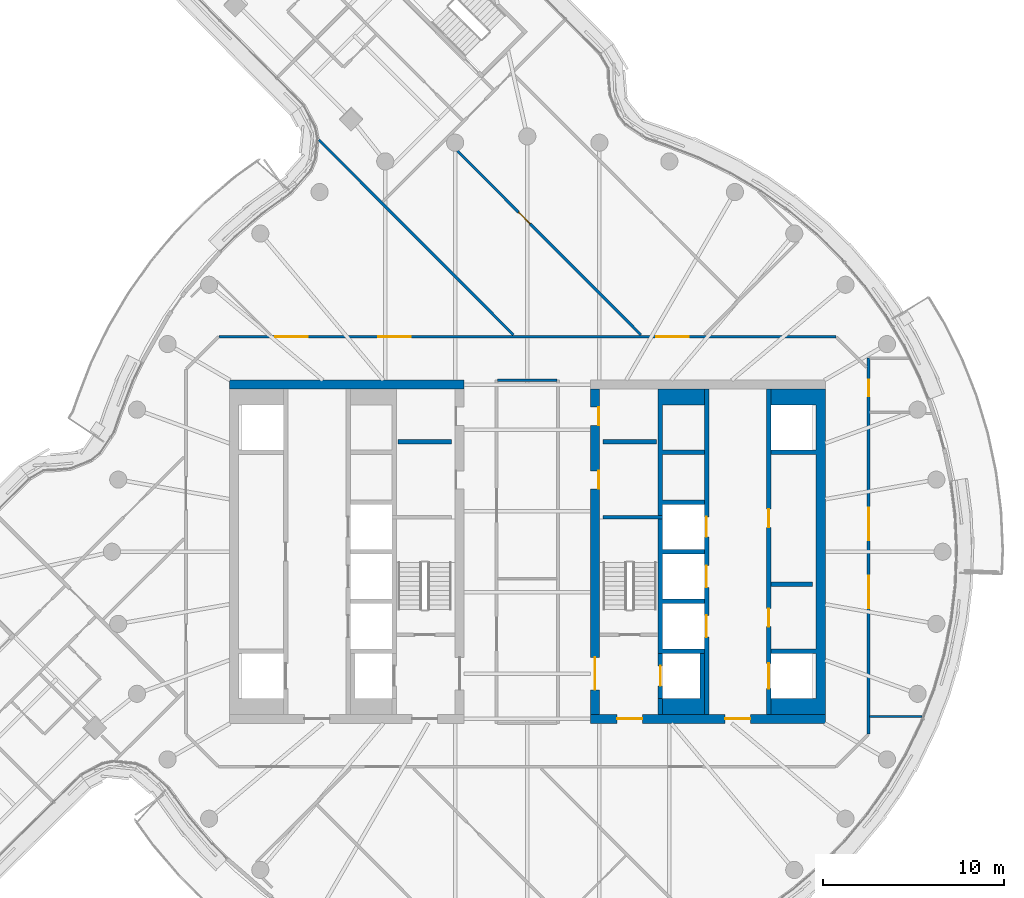
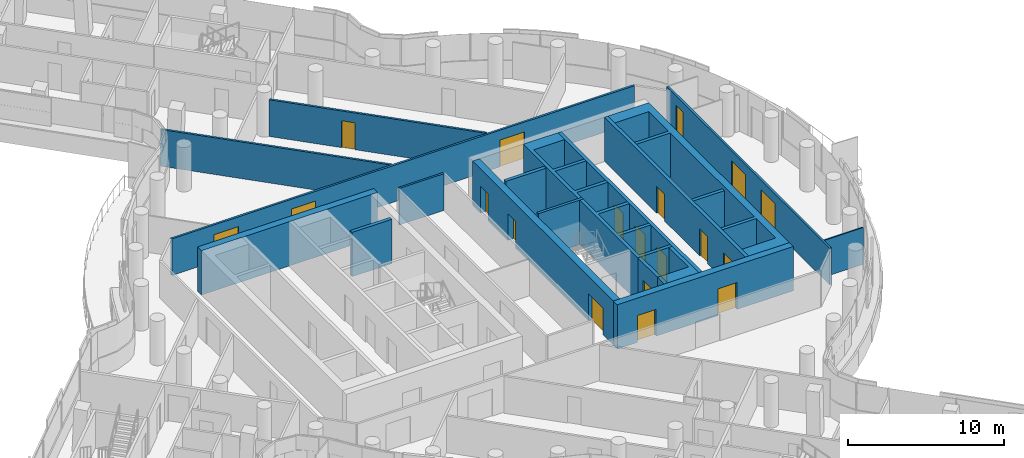
# One storey, part 21 of 31: 20 walls, 19 doors, 19 openings.
"""IFC4 building model written with IfcOpenShell, lengths in metres."""

from ifc_helpers import new_model, si_unit, direction, frame, frame_2d, origin, place, context, subcontext, project, spatial, polyline, rectangle, outline, extrude, material, layer, layer_set, type_object, element, fill, save


model = new_model("IFC4")

# Units and contexts
model_context = context("Model", 3, precision=1e-05, world=origin(), true_north=direction((0.0, 1.0)))
body_context = subcontext(model_context, "Body", "Model", "MODEL_VIEW")
ifc_project = project(units=[si_unit("LENGTHUNIT", "METRE"), si_unit("AREAUNIT", "SQUARE_METRE"), si_unit("VOLUMEUNIT", "CUBIC_METRE"), si_unit("PLANEANGLEUNIT", "RADIAN"), si_unit("MASSUNIT", "GRAM", prefix="KILO")], contexts=[model_context])

# Site, building, storey
site_placement = place(None, origin())
site = spatial("IfcSite", under=ifc_project, at=site_placement, CompositionType="ELEMENT")
building_placement = place(site_placement, origin())
building = spatial("IfcBuilding", under=site, at=building_placement, Name="Tamarind Cross Interchange Tower", CompositionType="ELEMENT")
storey_placement = place(building_placement, frame((0.0, 0.0, 196.89990234375)))
storey = spatial("IfcBuildingStorey", under=building, at=storey_placement, Name="L49", CompositionType="ELEMENT", Elevation=196.89990234375)

# Wall
ifc_material_1 = material(Name="Concrete C55", Category="concrete")
ifc_layer_1 = layer(ifc_material_1, 0.5)
ifc_layer_set_1 = layer_set([ifc_layer_1], Name="Concrete C55")
wall_type_1 = type_object("IfcWallType", Name="Core wall 500 mm Concrete C55", PredefinedType="SHEAR", material=ifc_layer_set_1)
wall_1_placement = place(storey_placement, frame((-16.5, 9.25, 0.0), z_axis=(0.0, 0.0, 1.0), x_axis=(1.0, 0.0, 0.0)))
element("IfcWall", 1, at=wall_1_placement, inside=storey, type_object=wall_type_1, Name="Core wall CWL-L49-W-NE", PredefinedType="SHEAR", context=body_context, shape_type="SweptSolid", body=[
    extrude(rectangle(XDim=13.0, YDim=0.5, at=frame_2d((6.5, 0.0))), origin(), (0.0, 0.0, 1.0), 3.460205078125),
])

# Wall, openings, doors
wall_2_placement = place(storey_placement, frame((16.5, -9.25, 0.0), z_axis=(0.0, 0.0, 1.0), x_axis=(-1.0, 0.0, 0.0)))
wall_2 = element("IfcWall", 2, at=wall_2_placement, inside=storey, type_object=wall_type_1, Name="Core wall CWL-L49-E-S", PredefinedType="SHEAR", context=body_context, shape_type="SweptSolid", body=[
    extrude(rectangle(XDim=13.0, YDim=0.5, at=frame_2d((6.5, 0.0))), origin(), (0.0, 0.0, 1.0), 3.460205078125),
])
opening_1_placement = place(wall_2_placement, frame((4.14990234375, 0.0, 0.0)))
opening_1 = element("IfcOpeningElement", 3, at=opening_1_placement, cuts=wall_2, Name="Opening DCE1", PredefinedType="OPENING", context=body_context, shape_type="SweptSolid", body=[
    extrude(rectangle(XDim=1.39990234375, YDim=2.10009765625, at=frame_2d((0.699951171875, 1.050048828125))), frame((0.0, 0.260009765625, 0.0), z_axis=(0.0, -1.0, 0.0), x_axis=(1.0, 0.0, 0.0)), (0.0, 0.0, 1.0), 0.52001953125),
])
opening_2_placement = place(wall_2_placement, frame((10.125, 0.0, 0.0)))
opening_2 = element("IfcOpeningElement", 4, at=opening_2_placement, cuts=wall_2, Name="Opening DCEF", PredefinedType="OPENING", context=body_context, shape_type="SweptSolid", body=[
    extrude(rectangle(XDim=1.39990234375, YDim=2.10009765625, at=frame_2d((0.699951171875, 1.050048828125))), frame((0.0, 0.260009765625, 0.0), z_axis=(0.0, -1.0, 0.0), x_axis=(1.0, 0.0, 0.0)), (0.0, 0.0, 1.0), 0.52001953125),
])
ifc_material_2 = material(Name="Steel, fire-resisting", Category="steel")
door_type_1 = type_object("IfcDoorType", Name="Core fire door 1400 x 2100 FD90", OperationType="SINGLE_SWING_LEFT", PredefinedType="DOOR", material=ifc_material_2)
door_1_placement = place(opening_1_placement, origin())
door_1 = element("IfcDoor", 5, at=door_1_placement, inside=storey, type_object=door_type_1, Name="L49 lift lobby door", OperationType="SINGLE_SWING_LEFT", OverallHeight=2.10009765625, OverallWidth=1.39990234375, PredefinedType="DOOR", context=body_context, shape_type="SweptSolid", body=[
    extrude(rectangle(XDim=1.39990234375, YDim=2.10009765625, at=frame_2d((0.699951171875, 1.050048828125))), frame((0.0, 0.02490234375, 0.0), z_axis=(0.0, -1.0, 0.0), x_axis=(1.0, 0.0, 0.0)), (0.0, 0.0, 1.0), 0.050048828125),
])
fill(opening_1, door_1)
door_2_placement = place(opening_2_placement, origin())
door_2 = element("IfcDoor", 6, at=door_2_placement, inside=storey, type_object=door_type_1, Name="L49 firefighting lobby end door", OperationType="SINGLE_SWING_LEFT", OverallHeight=2.10009765625, OverallWidth=1.39990234375, PredefinedType="DOOR", context=body_context, shape_type="SweptSolid", body=[
    extrude(rectangle(XDim=1.39990234375, YDim=2.10009765625, at=frame_2d((0.699951171875, 1.050048828125))), frame((0.0, 0.02490234375, 0.0), z_axis=(0.0, -1.0, 0.0), x_axis=(1.0, 0.0, 0.0)), (0.0, 0.0, 1.0), 0.050048828125),
])
fill(opening_2, door_2)

# Wall
wall_3_placement = place(storey_placement, origin())
element("IfcWall", 7, at=wall_3_placement, inside=storey, type_object=wall_type_1, Name="Core wall CWL-L49-E-A", PredefinedType="SHEAR", context=body_context, shape_type="SweptSolid", body=[
    extrude(outline(polyline([(13.5, -8.125), (13.5, -9.0), (16.0, -9.0), (16.5, -9.0), (16.5, 9.0), (16.0, 9.0), (13.5, 9.0), (13.5, 8.125), (16.0, 8.125), (16.0, 5.625), (13.5, 5.625), (13.5, 5.375), (16.0, 5.375), (16.0, -5.375), (13.5, -5.375), (13.5, -5.625), (16.0, -5.625), (16.0, -8.125), (13.5, -8.125)])), origin(), (0.0, 0.0, 1.0), 3.460205078125),
])

# Wall, openings, doors
wall_4_placement = place(storey_placement, frame((3.75, -9.0, 0.0), z_axis=(0.0, 0.0, 1.0), x_axis=(0.0, 1.0, 0.0)))
wall_4 = element("IfcWall", 8, at=wall_4_placement, inside=storey, type_object=wall_type_1, Name="Core wall CWL-L49-E-IN", PredefinedType="SHEAR", context=body_context, shape_type="SweptSolid", body=[
    extrude(rectangle(XDim=18.0, YDim=0.5, at=frame_2d((9.0, 0.0))), origin(), (0.0, 0.0, 1.0), 3.460205078125),
])
opening_3_placement = place(wall_4_placement, frame((1.35009765625, 0.0, 0.0)))
opening_3 = element("IfcOpeningElement", 9, at=opening_3_placement, cuts=wall_4, Name="Opening DCE4", PredefinedType="OPENING", context=body_context, shape_type="SweptSolid", body=[
    extrude(rectangle(XDim=1.800048828125, YDim=2.10009765625, at=frame_2d((0.89990234375, 1.050048828125))), frame((0.0, 0.260009765625, 0.0), z_axis=(0.0, -1.0, 0.0), x_axis=(1.0, 0.0, 0.0)), (0.0, 0.0, 1.0), 0.52001953125),
])
opening_4_placement = place(wall_4_placement, frame((12.4775390625, 0.0, 0.0)))
opening_4 = element("IfcOpeningElement", 10, at=opening_4_placement, cuts=wall_4, Name="Opening DCE5", PredefinedType="OPENING", context=body_context, shape_type="SweptSolid", body=[
    extrude(rectangle(XDim=1.0, YDim=2.10009765625, at=frame_2d((0.5, 1.050048828125))), frame((0.0, 0.260009765625, 0.0), z_axis=(0.0, -1.0, 0.0), x_axis=(1.0, 0.0, 0.0)), (0.0, 0.0, 1.0), 0.52001953125),
])
opening_5_placement = place(wall_4_placement, frame((16.00244140625, 0.0, 0.0)))
opening_5 = element("IfcOpeningElement", 11, at=opening_5_placement, cuts=wall_4, Name="Opening DCE5", PredefinedType="OPENING", context=body_context, shape_type="SweptSolid", body=[
    extrude(rectangle(XDim=1.0, YDim=2.10009765625, at=frame_2d((0.5, 1.050048828125))), frame((0.0, 0.260009765625, 0.0), z_axis=(0.0, -1.0, 0.0), x_axis=(1.0, 0.0, 0.0)), (0.0, 0.0, 1.0), 0.52001953125),
])
door_type_2 = type_object("IfcDoorType", Name="Core fire door 1000 x 2100 FD90", OperationType="SINGLE_SWING_LEFT", PredefinedType="DOOR", material=ifc_material_2)
door_3_placement = place(opening_4_placement, origin())
door_3 = element("IfcDoor", 12, at=door_3_placement, inside=storey, type_object=door_type_2, Name="L49 housekeeping pantry door", OperationType="SINGLE_SWING_LEFT", OverallHeight=2.10009765625, OverallWidth=1.0, PredefinedType="DOOR", context=body_context, shape_type="SweptSolid", body=[
    extrude(rectangle(XDim=1.0, YDim=2.10009765625, at=frame_2d((0.5, 1.050048828125))), frame((0.0, -0.1748046875, 0.0), z_axis=(0.0, -1.0, 0.0), x_axis=(1.0, 0.0, 0.0)), (0.0, 0.0, 1.0), 0.050048828125),
])
fill(opening_4, door_3)
door_4_placement = place(opening_5_placement, origin())
door_4 = element("IfcDoor", 13, at=door_4_placement, inside=storey, type_object=door_type_2, Name="L49 linen press door", OperationType="SINGLE_SWING_LEFT", OverallHeight=2.10009765625, OverallWidth=1.0, PredefinedType="DOOR", context=body_context, shape_type="SweptSolid", body=[
    extrude(rectangle(XDim=1.0, YDim=2.10009765625, at=frame_2d((0.5, 1.050048828125))), frame((0.0, -0.1748046875, 0.0), z_axis=(0.0, -1.0, 0.0), x_axis=(1.0, 0.0, 0.0)), (0.0, 0.0, 1.0), 0.050048828125),
])
fill(opening_5, door_4)
door_type_3 = type_object("IfcDoorType", Name="Core fire door 1800 x 2100 FD90", OperationType="SINGLE_SWING_LEFT", PredefinedType="DOOR", material=ifc_material_2)
door_5_placement = place(opening_3_placement, origin())
door_5 = element("IfcDoor", 14, at=door_5_placement, inside=storey, type_object=door_type_3, Name="L49 firefighting lobby door", OperationType="SINGLE_SWING_LEFT", OverallHeight=2.10009765625, OverallWidth=1.800048828125, PredefinedType="DOOR", context=body_context, shape_type="SweptSolid", body=[
    extrude(rectangle(XDim=1.800048828125, YDim=2.10009765625, at=frame_2d((0.89990234375, 1.050048828125))), frame((0.0, 0.02490234375, 0.0), z_axis=(0.0, -1.0, 0.0), x_axis=(1.0, 0.0, 0.0)), (0.0, 0.0, 1.0), 0.050048828125),
])
fill(opening_3, door_5)

# Walls
ifc_layer_2 = layer(ifc_material_1, 0.199951171875)
ifc_layer_set_2 = layer_set([ifc_layer_2], Name="Concrete C55")
wall_type_2 = type_object("IfcWallType", Name="Core web wall 200 mm Concrete C55", PredefinedType="SHEAR", material=ifc_layer_set_2)
wall_5_placement = place(storey_placement, frame((7.5, 1.89990234375, 0.0), z_axis=(0.0, 0.0, 1.0), x_axis=(-1.0, 0.0, 0.0)))
element("IfcWall", 15, at=wall_5_placement, inside=storey, type_object=wall_type_2, Name="Core wall CWL-L49-E-BD", PredefinedType="SHEAR", context=body_context, shape_type="SweptSolid", body=[
    extrude(rectangle(XDim=3.300048828125, YDim=0.199951171875, at=frame_2d((1.64990234375, 0.0))), origin(), (0.0, 0.0, 1.0), 3.460205078125),
])
ifc_layer_3 = layer(ifc_material_1, 0.25)
ifc_layer_set_3 = layer_set([ifc_layer_3], Name="Concrete C55")
wall_type_3 = type_object("IfcWallType", Name="Core web wall 250 mm Concrete C55", PredefinedType="SHEAR", material=ifc_layer_set_3)
wall_6_placement = place(storey_placement, origin())
element("IfcWall", 16, at=wall_6_placement, inside=storey, type_object=wall_type_3, Name="Core wall CWL-L49-E-BN", PredefinedType="SHEAR", context=body_context, shape_type="SweptSolid", body=[
    extrude(outline(polyline([(9.800048828125, -5.375), (7.5, -5.375), (7.5, -2.875), (9.800048828125, -2.875), (9.800048828125, -2.625), (7.5, -2.625), (7.5, -0.125), (9.800048828125, -0.125), (9.800048828125, 0.125), (7.5, 0.125), (7.5, 2.625), (9.800048828125, 2.625), (9.800048828125, 2.875), (7.5, 2.875), (7.5, 5.375), (9.800048828125, 5.375), (9.800048828125, 5.625), (7.5, 5.625), (7.5, 8.125), (9.800048828125, 8.125), (9.800048828125, 9.0), (7.5, 9.0), (7.25, 9.0), (7.25, -5.625), (7.5, -5.625), (9.800048828125, -5.625), (9.800048828125, -5.375)])), origin(), (0.0, 0.0, 1.0), 3.460205078125),
])
wall_7_placement = place(storey_placement, origin())
element("IfcWall", 17, at=wall_7_placement, inside=storey, type_object=wall_type_3, Name="Core wall CWL-L49-E-BS", PredefinedType="SHEAR", context=body_context, shape_type="SweptSolid", body=[
    extrude(outline(polyline([(7.5, -8.125), (7.5, -9.0), (9.800048828125, -9.0), (9.800048828125, -8.125), (9.800048828125, -5.625), (9.550048828125, -5.625), (9.550048828125, -8.125), (7.5, -8.125)])), origin(), (0.0, 0.0, 1.0), 3.460205078125),
])
wall_8_placement = place(storey_placement, frame((7.375, -9.0, 0.0), z_axis=(0.0, 0.0, 1.0), x_axis=(0.0, 1.0, 0.0)))
element("IfcWall", 18, at=wall_8_placement, inside=storey, type_object=wall_type_3, Name="Core wall CWL-L49-E-BW", PredefinedType="SHEAR", context=body_context, shape_type="SweptSolid", body=[
    extrude(rectangle(XDim=0.875, YDim=0.25, at=frame_2d((0.4375, 0.0))), origin(), (0.0, 0.0, 1.0), 3.460205078125),
])

# Wall, openings, doors
wall_9_placement = place(storey_placement, frame((13.375, -9.0, 0.0), z_axis=(0.0, 0.0, 1.0), x_axis=(0.0, 1.0, 0.0)))
wall_9 = element("IfcWall", 19, at=wall_9_placement, inside=storey, type_object=wall_type_3, Name="Core wall CWL-L49-E-LA", PredefinedType="SHEAR", context=body_context, shape_type="SweptSolid", body=[
    extrude(rectangle(XDim=18.0, YDim=0.25, at=frame_2d((9.0, 0.0))), origin(), (0.0, 0.0, 1.0), 3.460205078125),
])
opening_6_placement = place(wall_9_placement, frame((1.425048828125, 0.0, 0.0)))
opening_6 = element("IfcOpeningElement", 20, at=opening_6_placement, cuts=wall_9, Name="Opening LD13L49", PredefinedType="OPENING", context=body_context, shape_type="SweptSolid", body=[
    extrude(rectangle(XDim=1.39990234375, YDim=2.10009765625, at=frame_2d((0.699951171875, 1.050048828125))), frame((0.0, 0.135009765625, 0.0), z_axis=(0.0, -1.0, 0.0), x_axis=(1.0, 0.0, 0.0)), (0.0, 0.0, 1.0), 0.27001953125),
])
opening_7_placement = place(wall_9_placement, frame((4.85400390625, 0.0, 0.0)))
opening_7 = element("IfcOpeningElement", 21, at=opening_7_placement, cuts=wall_9, Name="Opening DCE9", PredefinedType="OPENING", context=body_context, shape_type="SweptSolid", body=[
    extrude(rectangle(XDim=1.0, YDim=2.10009765625, at=frame_2d((0.5, 1.050048828125))), frame((0.0, 0.135009765625, 0.0), z_axis=(0.0, -1.0, 0.0), x_axis=(1.0, 0.0, 0.0)), (0.0, 0.0, 1.0), 0.27001953125),
])
opening_8_placement = place(wall_9_placement, frame((10.35400390625, 0.0, 0.0)))
opening_8 = element("IfcOpeningElement", 22, at=opening_8_placement, cuts=wall_9, Name="Opening DCE10", PredefinedType="OPENING", context=body_context, shape_type="SweptSolid", body=[
    extrude(rectangle(XDim=1.0, YDim=2.10009765625, at=frame_2d((0.5, 1.050048828125))), frame((0.0, 0.135009765625, 0.0), z_axis=(0.0, -1.0, 0.0), x_axis=(1.0, 0.0, 0.0)), (0.0, 0.0, 1.0), 0.27001953125),
])
door_6_placement = place(opening_7_placement, origin())
door_6 = element("IfcDoor", 23, at=door_6_placement, inside=storey, type_object=door_type_2, Name="L49 Hotel pantry door", OperationType="SINGLE_SWING_LEFT", OverallHeight=2.10009765625, OverallWidth=1.0, PredefinedType="DOOR", context=body_context, shape_type="SweptSolid", body=[
    extrude(rectangle(XDim=1.0, YDim=2.10009765625, at=frame_2d((0.5, 1.050048828125))), frame((0.0, 0.02490234375, 0.0), z_axis=(0.0, -1.0, 0.0), x_axis=(1.0, 0.0, 0.0)), (0.0, 0.0, 1.0), 0.050048828125),
])
fill(opening_7, door_6)
door_7_placement = place(opening_8_placement, origin())
door_7 = element("IfcDoor", 24, at=door_7_placement, inside=storey, type_object=door_type_2, Name="L49 Staff changing room door", OperationType="SINGLE_SWING_LEFT", OverallHeight=2.10009765625, OverallWidth=1.0, PredefinedType="DOOR", context=body_context, shape_type="SweptSolid", body=[
    extrude(rectangle(XDim=1.0, YDim=2.10009765625, at=frame_2d((0.5, 1.050048828125))), frame((0.0, 0.02490234375, 0.0), z_axis=(0.0, -1.0, 0.0), x_axis=(1.0, 0.0, 0.0)), (0.0, 0.0, 1.0), 0.050048828125),
])
fill(opening_8, door_7)
ifc_material_3 = material(Name="Stainless steel panel", Category="steel")
door_type_4 = type_object("IfcDoorType", Name="Lift landing door 1400 x 2100 E 120", OperationType="SLIDING_TO_LEFT", PredefinedType="DOOR", material=ifc_material_3)
door_8_placement = place(opening_6_placement, origin())
door_8 = element("IfcDoor", 25, at=door_8_placement, inside=storey, type_object=door_type_4, Name="L49 landing door LF13", OperationType="SLIDING_TO_LEFT", OverallHeight=2.10009765625, OverallWidth=1.39990234375, PredefinedType="DOOR", context=body_context, shape_type="SweptSolid", body=[
    extrude(rectangle(XDim=1.39990234375, YDim=2.10009765625, at=frame_2d((0.699951171875, 1.050048828125))), frame((0.0, 0.02490234375, 0.0), z_axis=(0.0, -1.0, 0.0), x_axis=(1.0, 0.0, 0.0)), (0.0, 0.0, 1.0), 0.050048828125),
])
fill(opening_6, door_8)

wall_10_placement = place(storey_placement, frame((9.925048828125, -9.0, 0.0), z_axis=(0.0, 0.0, 1.0), x_axis=(0.0, 1.0, 0.0)))
wall_10 = element("IfcWall", 26, at=wall_10_placement, inside=storey, type_object=wall_type_3, Name="Core wall CWL-L49-E-LB", PredefinedType="SHEAR", context=body_context, shape_type="SweptSolid", body=[
    extrude(rectangle(XDim=18.0, YDim=0.25, at=frame_2d((9.0, 0.0))), origin(), (0.0, 0.0, 1.0), 3.460205078125),
])
opening_9_placement = place(wall_10_placement, frame((4.27490234375, 0.0, 0.0)))
opening_9 = element("IfcOpeningElement", 27, at=opening_9_placement, cuts=wall_10, Name="Opening LD20L49", PredefinedType="OPENING", context=body_context, shape_type="SweptSolid", body=[
    extrude(rectangle(XDim=1.199951171875, YDim=2.10009765625, at=frame_2d((0.60009765625, 1.050048828125))), frame((0.0, 0.135009765625, 0.0), z_axis=(0.0, -1.0, 0.0), x_axis=(1.0, 0.0, 0.0)), (0.0, 0.0, 1.0), 0.27001953125),
])
opening_10_placement = place(wall_10_placement, frame((7.02490234375, 0.0, 0.0)))
opening_10 = element("IfcOpeningElement", 28, at=opening_10_placement, cuts=wall_10, Name="Opening LD21L49", PredefinedType="OPENING", context=body_context, shape_type="SweptSolid", body=[
    extrude(rectangle(XDim=1.199951171875, YDim=2.10009765625, at=frame_2d((0.60009765625, 1.050048828125))), frame((0.0, 0.135009765625, 0.0), z_axis=(0.0, -1.0, 0.0), x_axis=(1.0, 0.0, 0.0)), (0.0, 0.0, 1.0), 0.27001953125),
])
opening_11_placement = place(wall_10_placement, frame((9.824951171875, 0.0, 0.0)))
opening_11 = element("IfcOpeningElement", 29, at=opening_11_placement, cuts=wall_10, Name="Opening LD22L49", PredefinedType="OPENING", context=body_context, shape_type="SweptSolid", body=[
    extrude(rectangle(XDim=1.10009765625, YDim=2.10009765625, at=frame_2d((0.550048828125, 1.050048828125))), frame((0.0, 0.135009765625, 0.0), z_axis=(0.0, -1.0, 0.0), x_axis=(1.0, 0.0, 0.0)), (0.0, 0.0, 1.0), 0.27001953125),
])
door_type_5 = type_object("IfcDoorType", Name="Lift landing door 1100 x 2100 E 120", OperationType="SLIDING_TO_LEFT", PredefinedType="DOOR", material=ifc_material_3)
door_9_placement = place(opening_11_placement, origin())
door_9 = element("IfcDoor", 30, at=door_9_placement, inside=storey, type_object=door_type_5, Name="L49 landing door LF22", OperationType="SLIDING_TO_LEFT", OverallHeight=2.10009765625, OverallWidth=1.10009765625, PredefinedType="DOOR", context=body_context, shape_type="SweptSolid", body=[
    extrude(rectangle(XDim=1.10009765625, YDim=2.10009765625, at=frame_2d((0.550048828125, 1.050048828125))), frame((0.0, 0.02490234375, 0.0), z_axis=(0.0, -1.0, 0.0), x_axis=(1.0, 0.0, 0.0)), (0.0, 0.0, 1.0), 0.050048828125),
])
fill(opening_11, door_9)
door_type_6 = type_object("IfcDoorType", Name="Lift landing door 1200 x 2100 E 120", OperationType="SLIDING_TO_LEFT", PredefinedType="DOOR", material=ifc_material_3)
door_10_placement = place(opening_9_placement, origin())
door_10 = element("IfcDoor", 31, at=door_10_placement, inside=storey, type_object=door_type_6, Name="L49 landing door LF20", OperationType="SLIDING_TO_LEFT", OverallHeight=2.10009765625, OverallWidth=1.199951171875, PredefinedType="DOOR", context=body_context, shape_type="SweptSolid", body=[
    extrude(rectangle(XDim=1.199951171875, YDim=2.10009765625, at=frame_2d((0.60009765625, 1.050048828125))), frame((0.0, 0.02490234375, 0.0), z_axis=(0.0, -1.0, 0.0), x_axis=(1.0, 0.0, 0.0)), (0.0, 0.0, 1.0), 0.050048828125),
])
fill(opening_9, door_10)
door_11_placement = place(opening_10_placement, origin())
door_11 = element("IfcDoor", 32, at=door_11_placement, inside=storey, type_object=door_type_6, Name="L49 landing door LF21", OperationType="SLIDING_TO_LEFT", OverallHeight=2.10009765625, OverallWidth=1.199951171875, PredefinedType="DOOR", context=body_context, shape_type="SweptSolid", body=[
    extrude(rectangle(XDim=1.199951171875, YDim=2.10009765625, at=frame_2d((0.60009765625, 1.050048828125))), frame((0.0, 0.02490234375, 0.0), z_axis=(0.0, -1.0, 0.0), x_axis=(1.0, 0.0, 0.0)), (0.0, 0.0, 1.0), 0.050048828125),
])
fill(opening_10, door_11)

# Wall, opening, door
wall_11_placement = place(storey_placement, frame((7.375, -8.125, 0.0), z_axis=(0.0, 0.0, 1.0), x_axis=(0.0, 1.0, 0.0)))
wall_11 = element("IfcWall", 33, at=wall_11_placement, inside=storey, type_object=wall_type_3, Name="Core wall CWL-L49-E-FF", PredefinedType="SHEAR", context=body_context, shape_type="SweptSolid", body=[
    extrude(rectangle(XDim=2.5, YDim=0.25, at=frame_2d((1.25, 0.0))), origin(), (0.0, 0.0, 1.0), 3.460205078125),
])
opening_12_placement = place(wall_11_placement, frame((0.699951171875, 0.0, 0.0)))
opening_12 = element("IfcOpeningElement", 34, at=opening_12_placement, cuts=wall_11, Name="Opening LD19L49", PredefinedType="OPENING", context=body_context, shape_type="SweptSolid", body=[
    extrude(rectangle(XDim=1.10009765625, YDim=2.10009765625, at=frame_2d((0.550048828125, 1.050048828125))), frame((0.0, 0.135009765625, 0.0), z_axis=(0.0, -1.0, 0.0), x_axis=(1.0, 0.0, 0.0)), (0.0, 0.0, 1.0), 0.27001953125),
])
door_12_placement = place(opening_12_placement, origin())
door_12 = element("IfcDoor", 35, at=door_12_placement, inside=storey, type_object=door_type_5, Name="L49 landing door LF19", OperationType="SLIDING_TO_LEFT", OverallHeight=2.10009765625, OverallWidth=1.10009765625, PredefinedType="DOOR", context=body_context, shape_type="SweptSolid", body=[
    extrude(rectangle(XDim=1.10009765625, YDim=2.10009765625, at=frame_2d((0.550048828125, 1.050048828125))), frame((0.0, 0.02490234375, 0.0), z_axis=(0.0, -1.0, 0.0), x_axis=(1.0, 0.0, 0.0)), (0.0, 0.0, 1.0), 0.050048828125),
])
fill(opening_12, door_12)

# Walls
ifc_material_4 = material(Name="Gypsum board partition on steel studs", Category="steel")
ifc_layer_4 = layer(ifc_material_4, 0.10009765625)
ifc_layer_set_4 = layer_set([ifc_layer_4], Name="Gypsum board partition on steel studs")
wall_type_4 = type_object("IfcWallType", Name="Partition 100 mm EI 90", PredefinedType="PARTITIONING", material=ifc_layer_set_4)
wall_12_placement = place(storey_placement, frame((18.955078125, -9.125, 0.0), z_axis=(0.0, 0.0, 1.0), x_axis=(1.0, 0.0, 0.0)))
element("IfcWall", 36, at=wall_12_placement, inside=storey, type_object=wall_type_4, Name="Partition L49-039", PredefinedType="PARTITIONING", context=body_context, shape_type="SweptSolid", body=[
    extrude(rectangle(XDim=2.900146484375, YDim=0.10009765625, at=frame_2d((1.4501953125, 0.0))), origin(), (0.0, 0.0, 1.0), 2.864013671875),
])
ifc_layer_5 = layer(ifc_material_4, 0.14990234375)
ifc_layer_set_5 = layer_set([ifc_layer_5], Name="Gypsum board partition on steel studs")
wall_type_5 = type_object("IfcWallType", Name="Partition 150 mm EI 120", PredefinedType="PARTITIONING", material=ifc_layer_set_5)
wall_13_placement = place(storey_placement, frame((-11.533935546875, 22.801025390625, 0.0), z_axis=(0.0, 0.0, 1.0), x_axis=(0.706225272802, -0.707987192014, 0.0)))
element("IfcWall", 37, at=wall_13_placement, inside=storey, type_object=wall_type_5, Name="Partition L49-019", PredefinedType="PARTITIONING", context=body_context, shape_type="SweptSolid", body=[
    extrude(rectangle(XDim=15.2421875, YDim=0.14990234375, at=frame_2d((7.62109375, 0.0))), origin(), (0.0, 0.0, 1.0), 2.864013671875),
])

# Wall, opening, door
wall_14_placement = place(storey_placement, frame((-3.870361328125, 22.19873046875, 0.0), z_axis=(0.0, 0.0, 1.0), x_axis=(0.706198575658, -0.708013821714, 0.0)))
wall_14 = element("IfcWall", 38, at=wall_14_placement, inside=storey, type_object=wall_type_5, Name="Partition L49-022", PredefinedType="PARTITIONING", context=body_context, shape_type="SweptSolid", body=[
    extrude(rectangle(XDim=14.390869140625, YDim=0.14990234375, at=frame_2d((7.1953125, 0.0))), origin(), (0.0, 0.0, 1.0), 2.864013671875),
])
opening_13_placement = place(wall_14_placement, frame((4.800048828125, 0.0, 0.0)))
opening_13 = element("IfcOpeningElement", 39, at=opening_13_placement, cuts=wall_14, Name="Opening D11", PredefinedType="OPENING", context=body_context, shape_type="SweptSolid", body=[
    extrude(rectangle(XDim=0.89990234375, YDim=2.10009765625, at=frame_2d((0.449951171875, 1.050048828125))), frame((0.0, 0.0849609375, 0.0), z_axis=(0.0, -1.0, 0.0), x_axis=(1.0, 0.0, 0.0)), (0.0, 0.0, 1.0), 0.169921875),
])
ifc_material_5 = material(Name="Fire-resisting door set")
door_type_7 = type_object("IfcDoorType", Name="Interior door 900 x 2100 FD60S", OperationType="SINGLE_SWING_LEFT", PredefinedType="DOOR", material=ifc_material_5)
door_13_placement = place(opening_13_placement, frame((0.89990234375, 0.0, 0.0), z_axis=(0.0, 0.0, 1.0), x_axis=(-1.0, 0.0, 0.0)))
door_13 = element("IfcDoor", 40, at=door_13_placement, inside=storey, type_object=door_type_7, Name="Door D11", OperationType="SINGLE_SWING_LEFT", OverallHeight=2.10009765625, OverallWidth=0.89990234375, PredefinedType="DOOR", context=body_context, shape_type="SweptSolid", body=[
    extrude(rectangle(XDim=0.89990234375, YDim=2.10009765625, at=frame_2d((0.449951171875, 1.050048828125))), frame((0.0, 0.02490234375, 0.0), z_axis=(0.0, -1.0, 0.0), x_axis=(1.0, 0.0, 0.0)), (0.0, 0.0, 1.0), 0.050048828125),
])
fill(opening_13, door_13)

# Wall, openings, doors
wall_15_placement = place(storey_placement, frame((-17.06494140625, 11.89990234375, 0.0), z_axis=(0.0, 0.0, 1.0), x_axis=(1.0, 0.0, 0.0)))
wall_15 = element("IfcWall", 41, at=wall_15_placement, inside=storey, type_object=wall_type_5, Name="Partition L49-035", PredefinedType="PARTITIONING", context=body_context, shape_type="SweptSolid", body=[
    extrude(rectangle(XDim=34.1650390625, YDim=0.14990234375, at=frame_2d((17.08251953125, 0.0))), origin(), (0.0, 0.0, 1.0), 2.864013671875),
])
opening_14_placement = place(wall_15_placement, frame((24.217041015625, 0.0, 0.0)))
opening_14 = element("IfcOpeningElement", 42, at=opening_14_placement, cuts=wall_15, Name="Opening D21", PredefinedType="OPENING", context=body_context, shape_type="SweptSolid", body=[
    extrude(rectangle(XDim=1.800048828125, YDim=2.10009765625, at=frame_2d((0.89990234375, 1.050048828125))), frame((0.0, 0.0849609375, 0.0), z_axis=(0.0, -1.0, 0.0), x_axis=(1.0, 0.0, 0.0)), (0.0, 0.0, 1.0), 0.169921875),
])
opening_15_placement = place(wall_15_placement, frame((8.819091796875, 0.0, 0.0)))
opening_15 = element("IfcOpeningElement", 43, at=opening_15_placement, cuts=wall_15, Name="Opening D22", PredefinedType="OPENING", context=body_context, shape_type="SweptSolid", body=[
    extrude(rectangle(XDim=1.800048828125, YDim=2.10009765625, at=frame_2d((0.89990234375, 1.050048828125))), frame((0.0, 0.0849609375, 0.0), z_axis=(0.0, -1.0, 0.0), x_axis=(1.0, 0.0, 0.0)), (0.0, 0.0, 1.0), 0.169921875),
])
opening_16_placement = place(wall_15_placement, frame((3.118896484375, 0.0, 0.0)))
opening_16 = element("IfcOpeningElement", 44, at=opening_16_placement, cuts=wall_15, Name="Opening D23", PredefinedType="OPENING", context=body_context, shape_type="SweptSolid", body=[
    extrude(rectangle(XDim=1.800048828125, YDim=2.10009765625, at=frame_2d((0.89990234375, 1.050048828125))), frame((0.0, 0.0849609375, 0.0), z_axis=(0.0, -1.0, 0.0), x_axis=(1.0, 0.0, 0.0)), (0.0, 0.0, 1.0), 0.169921875),
])
door_type_8 = type_object("IfcDoorType", Name="Interior door 1800 x 2100 FD60S", OperationType="DOUBLE_DOOR_SINGLE_SWING", PredefinedType="DOOR", material=ifc_material_5)
door_14_placement = place(opening_14_placement, frame((1.800048828125, 0.0, 0.0), z_axis=(0.0, 0.0, 1.0), x_axis=(-1.0, 0.0, 0.0)))
door_14 = element("IfcDoor", 45, at=door_14_placement, inside=storey, type_object=door_type_8, Name="Door D21", OperationType="DOUBLE_DOOR_SINGLE_SWING", OverallHeight=2.10009765625, OverallWidth=1.800048828125, PredefinedType="DOOR", context=body_context, shape_type="SweptSolid", body=[
    extrude(rectangle(XDim=1.800048828125, YDim=2.10009765625, at=frame_2d((0.89990234375, 1.050048828125))), frame((0.0, 0.02490234375, 0.0), z_axis=(0.0, -1.0, 0.0), x_axis=(1.0, 0.0, 0.0)), (0.0, 0.0, 1.0), 0.050048828125),
])
fill(opening_14, door_14)
door_15_placement = place(opening_15_placement, origin())
door_15 = element("IfcDoor", 46, at=door_15_placement, inside=storey, type_object=door_type_8, Name="Door D22", OperationType="DOUBLE_DOOR_SINGLE_SWING", OverallHeight=2.10009765625, OverallWidth=1.800048828125, PredefinedType="DOOR", context=body_context, shape_type="SweptSolid", body=[
    extrude(rectangle(XDim=1.800048828125, YDim=2.10009765625, at=frame_2d((0.89990234375, 1.050048828125))), frame((0.0, 0.02490234375, 0.0), z_axis=(0.0, -1.0, 0.0), x_axis=(1.0, 0.0, 0.0)), (0.0, 0.0, 1.0), 0.050048828125),
])
fill(opening_15, door_15)
door_16_placement = place(opening_16_placement, origin())
door_16 = element("IfcDoor", 47, at=door_16_placement, inside=storey, type_object=door_type_8, Name="Door D23", OperationType="DOUBLE_DOOR_SINGLE_SWING", OverallHeight=2.10009765625, OverallWidth=1.800048828125, PredefinedType="DOOR", context=body_context, shape_type="SweptSolid", body=[
    extrude(rectangle(XDim=1.800048828125, YDim=2.10009765625, at=frame_2d((0.89990234375, 1.050048828125))), frame((0.0, 0.02490234375, 0.0), z_axis=(0.0, -1.0, 0.0), x_axis=(1.0, 0.0, 0.0)), (0.0, 0.0, 1.0), 0.050048828125),
])
fill(opening_16, door_16)

# Wall
wall_16_placement = place(storey_placement, frame((-1.639892578125, 9.5, 0.0), z_axis=(0.0, 0.0, 1.0), x_axis=(1.0, 0.0, 0.0)))
element("IfcWall", 48, at=wall_16_placement, inside=storey, type_object=wall_type_5, Name="Partition L49-038", PredefinedType="PARTITIONING", context=body_context, shape_type="SweptSolid", body=[
    extrude(rectangle(XDim=3.27978515625, YDim=0.14990234375, at=frame_2d((1.639892578125, 0.0))), origin(), (0.0, 0.0, 1.0), 2.864013671875),
])

# Wall, openings, doors
wall_17_placement = place(storey_placement, frame((18.89990234375, -10.10009765625, 0.0), z_axis=(0.0, 0.0, 1.0), x_axis=(0.0, 1.0, 0.0)))
wall_17 = element("IfcWall", 49, at=wall_17_placement, inside=storey, type_object=wall_type_5, Name="Partition L49-080", PredefinedType="PARTITIONING", context=body_context, shape_type="SweptSolid", body=[
    extrude(rectangle(XDim=20.820068359375, YDim=0.14990234375, at=frame_2d((10.41015625, 0.0))), origin(), (0.0, 0.0, 1.0), 2.864013671875),
])
opening_17_placement = place(wall_17_placement, frame((18.719970703125, 0.0, 0.0)))
opening_17 = element("IfcOpeningElement", 50, at=opening_17_placement, cuts=wall_17, Name="Opening D45", PredefinedType="OPENING", context=body_context, shape_type="SweptSolid", body=[
    extrude(rectangle(XDim=0.89990234375, YDim=2.10009765625, at=frame_2d((0.449951171875, 1.050048828125))), frame((0.0, 0.0849609375, 0.0), z_axis=(0.0, -1.0, 0.0), x_axis=(1.0, 0.0, 0.0)), (0.0, 0.0, 1.0), 0.169921875),
])
opening_18_placement = place(wall_17_placement, frame((10.72509765625, 0.0, 0.0)))
opening_18 = element("IfcOpeningElement", 51, at=opening_18_placement, cuts=wall_17, Name="Opening D46", PredefinedType="OPENING", context=body_context, shape_type="SweptSolid", body=[
    extrude(rectangle(XDim=1.800048828125, YDim=2.10009765625, at=frame_2d((0.89990234375, 1.050048828125))), frame((0.0, 0.0849609375, 0.0), z_axis=(0.0, -1.0, 0.0), x_axis=(1.0, 0.0, 0.0)), (0.0, 0.0, 1.0), 0.169921875),
])
opening_19_placement = place(wall_17_placement, frame((6.97509765625, 0.0, 0.0)))
opening_19 = element("IfcOpeningElement", 52, at=opening_19_placement, cuts=wall_17, Name="Opening D47", PredefinedType="OPENING", context=body_context, shape_type="SweptSolid", body=[
    extrude(rectangle(XDim=1.800048828125, YDim=2.10009765625, at=frame_2d((0.89990234375, 1.050048828125))), frame((0.0, 0.0849609375, 0.0), z_axis=(0.0, -1.0, 0.0), x_axis=(1.0, 0.0, 0.0)), (0.0, 0.0, 1.0), 0.169921875),
])
door_17_placement = place(opening_18_placement, frame((1.800048828125, 0.0, 0.0), z_axis=(0.0, 0.0, 1.0), x_axis=(-1.0, 0.0, 0.0)))
door_17 = element("IfcDoor", 53, at=door_17_placement, inside=storey, type_object=door_type_8, Name="Door D46", OperationType="DOUBLE_DOOR_SINGLE_SWING", OverallHeight=2.10009765625, OverallWidth=1.800048828125, PredefinedType="DOOR", context=body_context, shape_type="SweptSolid", body=[
    extrude(rectangle(XDim=1.800048828125, YDim=2.10009765625, at=frame_2d((0.89990234375, 1.050048828125))), frame((0.0, 0.02490234375, 0.0), z_axis=(0.0, -1.0, 0.0), x_axis=(1.0, 0.0, 0.0)), (0.0, 0.0, 1.0), 0.050048828125),
])
fill(opening_18, door_17)
door_18_placement = place(opening_19_placement, frame((1.800048828125, 0.0, 0.0), z_axis=(0.0, 0.0, 1.0), x_axis=(-1.0, 0.0, 0.0)))
door_18 = element("IfcDoor", 54, at=door_18_placement, inside=storey, type_object=door_type_8, Name="Door D47", OperationType="DOUBLE_DOOR_SINGLE_SWING", OverallHeight=2.10009765625, OverallWidth=1.800048828125, PredefinedType="DOOR", context=body_context, shape_type="SweptSolid", body=[
    extrude(rectangle(XDim=1.800048828125, YDim=2.10009765625, at=frame_2d((0.89990234375, 1.050048828125))), frame((0.0, 0.02490234375, 0.0), z_axis=(0.0, -1.0, 0.0), x_axis=(1.0, 0.0, 0.0)), (0.0, 0.0, 1.0), 0.050048828125),
])
fill(opening_19, door_18)
door_19_placement = place(opening_17_placement, frame((0.89990234375, 0.0, 0.0), z_axis=(0.0, 0.0, 1.0), x_axis=(-1.0, 0.0, 0.0)))
door_19 = element("IfcDoor", 55, at=door_19_placement, inside=storey, type_object=door_type_7, Name="Door D45", OperationType="SINGLE_SWING_RIGHT", OverallHeight=2.10009765625, OverallWidth=0.89990234375, PredefinedType="DOOR", context=body_context, shape_type="SweptSolid", body=[
    extrude(rectangle(XDim=0.89990234375, YDim=2.10009765625, at=frame_2d((0.449951171875, 1.050048828125))), frame((0.0, 0.02490234375, 0.0), z_axis=(0.0, -1.0, 0.0), x_axis=(1.0, 0.0, 0.0)), (0.0, 0.0, 1.0), 0.050048828125),
])
fill(opening_17, door_19)

# Walls
ifc_material_6 = material(Name="Concrete C40", Category="concrete")
ifc_layer_6 = layer(ifc_material_6, 0.25)
ifc_layer_set_6 = layer_set([ifc_layer_6], Name="Concrete C40")
wall_type_6 = type_object("IfcWallType", Name="Shaft and lobby wall 250 mm Concrete C40", PredefinedType="PARTITIONING", material=ifc_layer_set_6)
for number, where, z_axis, x_axis, name in (
    (56, (-7.14990234375, 6.080078125, 0.0), (0.0, 0.0, 1.0), (1.0, 0.0, 0.0), "Shaft wall CWL-L49-W-SVP"),
    (57, (7.14990234375, 6.080078125, 0.0), (0.0, 0.0, 1.0), (-1.0, 0.0, 0.0), "Shaft wall CWL-L49-E-SVP"),
):
    element("IfcWall", number, at=place(storey_placement, frame(where, z_axis=z_axis, x_axis=x_axis)), inside=storey, type_object=wall_type_6, Name=name, PredefinedType="PARTITIONING", context=body_context, shape_type="SweptSolid", body=[
        extrude(rectangle(XDim=2.949951171875, YDim=0.25, at=frame_2d((1.47509765625, 0.0))), origin(), (0.0, 0.0, 1.0), 3.460205078125),
    ])
wall_18_placement = place(storey_placement, frame((15.800048828125, -1.7919921875, 0.0), z_axis=(0.0, 0.0, 1.0), x_axis=(-1.0, 0.0, 0.0)))
element("IfcWall", 58, at=wall_18_placement, inside=storey, type_object=wall_type_6, Name="Shaft wall CWL-L49-E-FPA1", PredefinedType="PARTITIONING", context=body_context, shape_type="SweptSolid", body=[
    extrude(rectangle(XDim=2.300048828125, YDim=0.25, at=frame_2d((1.14990234375, 0.0))), origin(), (0.0, 0.0, 1.0), 3.460205078125),
])

save(model, "model.ifc")
